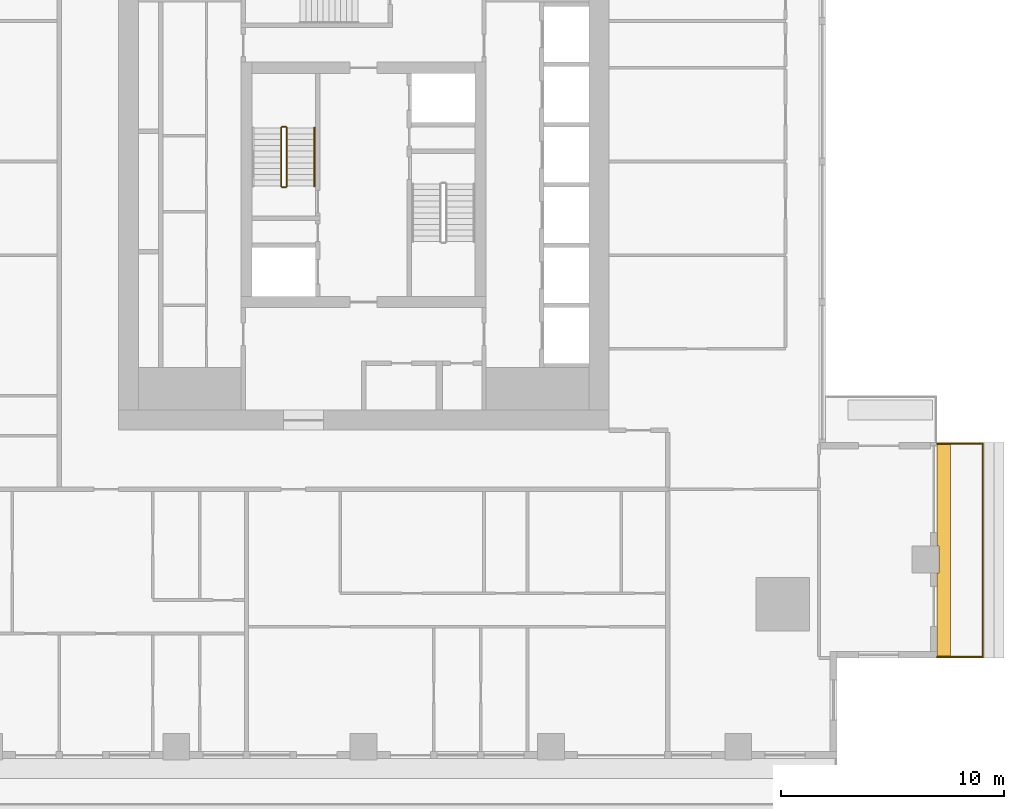
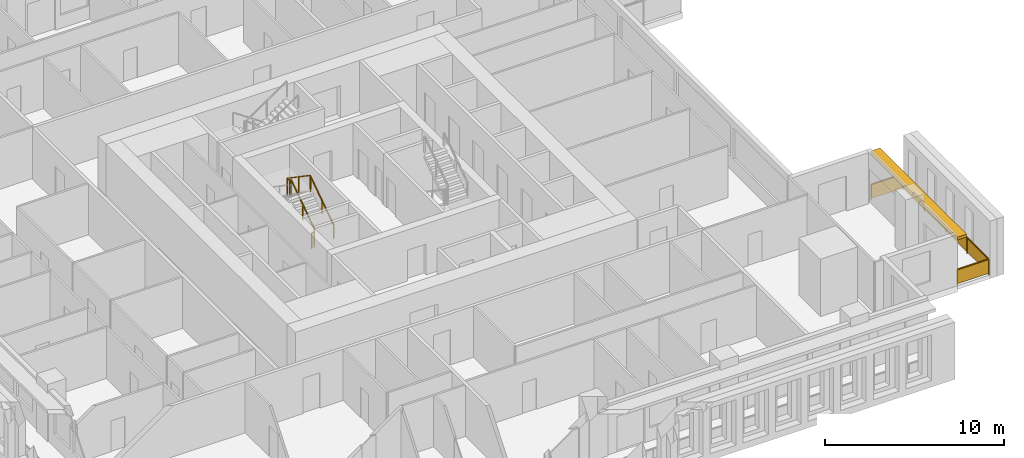
# One storey, part 12 of 15: 6 railings, 1 shading device.
"""IFC4 building model written with IfcOpenShell, lengths in metres."""

from ifc_helpers import new_model, si_unit, direction, frame, origin, origin_2d, place, context, subcontext, project, spatial, polyline, rectangle, outline, extrude, material, layer, layer_set, type_object, element, save


model = new_model("IFC4")

# Units and contexts
model_context = context("Model", 3, precision=1e-05, world=origin(), true_north=direction((0.0, 1.0)))
body_context = subcontext(model_context, "Body", "Model", "MODEL_VIEW")
ifc_project = project(units=[si_unit("LENGTHUNIT", "METRE"), si_unit("AREAUNIT", "SQUARE_METRE"), si_unit("VOLUMEUNIT", "CUBIC_METRE"), si_unit("PLANEANGLEUNIT", "RADIAN"), si_unit("MASSUNIT", "GRAM", prefix="KILO")], contexts=[model_context])

# Site, building, storey
site_placement = place(None, origin())
site = spatial("IfcSite", under=ifc_project, at=site_placement, CompositionType="ELEMENT")
building_placement = place(site_placement, origin())
building = spatial("IfcBuilding", under=site, at=building_placement, Name="Khepri Terraces", CompositionType="ELEMENT")
storey_placement = place(building_placement, frame((0.0, 0.0, 219.60009765625)))
storey = spatial("IfcBuildingStorey", under=building, at=storey_placement, Name="L52", CompositionType="ELEMENT", Elevation=219.60009765625)

# Railings
ifc_material_1 = material(Name="Stainless steel grade 316", Category="steel")
railing_type_1 = type_object("IfcRailingType", Name="GRD-BAL-1100", PredefinedType="GUARDRAIL", material=ifc_material_1)
railing_1_placement = place(storey_placement, frame((25.719970703125, -21.169921875, 0.0)))
element("IfcRailing", 1, at=railing_1_placement, inside=storey, type_object=railing_type_1, Name="Balcony guard L52 E", PredefinedType="GUARDRAIL", context=body_context, shape_type="SweptSolid", body=[
    extrude(rectangle(XDim=0.050048828125, YDim=0.06005859375, at=origin_2d()), frame((0.0, 0.0, 1.070068359375), z_axis=(1.0, 0.0, 0.0), x_axis=(0.0, 1.0, 0.0)), (0.0, 0.0, 1.0), 2.050048828125),
    extrude(rectangle(XDim=2.0, YDim=0.011962890625, at=origin_2d()), frame((1.02490234375, 0.0, 0.10009765625), z_axis=(0.0, 0.0, 1.0), x_axis=(1.0, 0.0, 0.0)), (0.0, 0.0, 1.0), 0.93994140625),
    extrude(rectangle(XDim=0.050048828125, YDim=0.06005859375, at=origin_2d()), frame((2.050048828125, 0.0, 1.070068359375), z_axis=(0.0, 1.0, 0.0), x_axis=(-1.0, 0.0, 0.0)), (0.0, 0.0, 1.0), 9.56982421875),
    extrude(rectangle(XDim=2.34228515625, YDim=0.011962890625, at=origin_2d()), frame((2.050048828125, 1.1962890625, 0.10009765625), z_axis=(0.0, 0.0, 1.0), x_axis=(0.0, 1.0, 0.0)), (0.0, 0.0, 1.0), 0.93994140625),
    extrude(rectangle(XDim=2.34228515625, YDim=0.011962890625, at=origin_2d()), frame((2.050048828125, 3.588623046875, 0.10009765625), z_axis=(0.0, 0.0, 1.0), x_axis=(0.0, 1.0, 0.0)), (0.0, 0.0, 1.0), 0.93994140625),
    extrude(rectangle(XDim=2.34228515625, YDim=0.011962890625, at=origin_2d()), frame((2.050048828125, 5.981201171875, 0.10009765625), z_axis=(0.0, 0.0, 1.0), x_axis=(0.0, 1.0, 0.0)), (0.0, 0.0, 1.0), 0.93994140625),
    extrude(rectangle(XDim=2.34228515625, YDim=0.011962890625, at=origin_2d()), frame((2.050048828125, 8.37353515625, 0.10009765625), z_axis=(0.0, 0.0, 1.0), x_axis=(0.0, 1.0, 0.0)), (0.0, 0.0, 1.0), 0.93994140625),
    extrude(rectangle(XDim=0.050048828125, YDim=0.06005859375, at=origin_2d()), frame((2.050048828125, 9.56982421875, 1.070068359375), z_axis=(-1.0, 0.0, 0.0), x_axis=(0.0, -1.0, 0.0)), (0.0, 0.0, 1.0), 2.050048828125),
    extrude(rectangle(XDim=2.0, YDim=0.011962890625, at=origin_2d()), frame((1.02490234375, 9.56982421875, 0.10009765625), z_axis=(0.0, 0.0, 1.0), x_axis=(-1.0, 0.0, 0.0)), (0.0, 0.0, 1.0), 0.93994140625),
    extrude(rectangle(XDim=0.050048828125, YDim=0.050048828125, at=origin_2d()), origin(), (0.0, 0.0, 1.0), 1.0400390625),
    extrude(rectangle(XDim=0.050048828125, YDim=0.050048828125, at=origin_2d()), frame((2.050048828125, 0.0, 0.0)), (0.0, 0.0, 1.0), 1.0400390625),
    extrude(rectangle(XDim=0.050048828125, YDim=0.050048828125, at=origin_2d()), frame((2.050048828125, 2.392578125, 0.0)), (0.0, 0.0, 1.0), 1.0400390625),
    extrude(rectangle(XDim=0.050048828125, YDim=0.050048828125, at=origin_2d()), frame((2.050048828125, 4.784912109375, 0.0)), (0.0, 0.0, 1.0), 1.0400390625),
    extrude(rectangle(XDim=0.050048828125, YDim=0.050048828125, at=origin_2d()), frame((2.050048828125, 7.17724609375, 0.0)), (0.0, 0.0, 1.0), 1.0400390625),
    extrude(rectangle(XDim=0.050048828125, YDim=0.050048828125, at=origin_2d()), frame((2.050048828125, 9.56982421875, 0.0)), (0.0, 0.0, 1.0), 1.0400390625),
    extrude(rectangle(XDim=0.050048828125, YDim=0.050048828125, at=origin_2d()), frame((0.0, 9.56982421875, 0.0)), (0.0, 0.0, 1.0), 1.0400390625),
])
ifc_material_2 = material(Name="Stainless steel 316", Category="steel")
railing_type_2 = type_object("IfcRailingType", Name="RL-CORE-GUARD", PredefinedType="GUARDRAIL", material=ifc_material_2)
railing_2_placement = place(storey_placement, frame((-3.449951171875, -0.050048828125, 0.17724609375)))
element("IfcRailing", 2, at=railing_2_placement, inside=storey, type_object=railing_type_2, Name="L52 ST-1 stair guard 1", PredefinedType="GUARDRAIL", context=body_context, shape_type="SweptSolid", body=[
    extrude(rectangle(XDim=0.050048828125, YDim=0.06005859375, at=origin_2d()), frame((0.0, 0.0, 1.070068359375), z_axis=(0.0, 0.826240473404, 0.563317565952), x_axis=(-1.0, 0.0, 0.0)), (0.0, 0.0, 1.0), 3.14697265625),
    extrude(rectangle(XDim=0.050048828125, YDim=0.050048828125, at=origin_2d()), origin(), (0.0, 0.0, 1.0), 1.0400390625),
    extrude(rectangle(XDim=0.050048828125, YDim=0.050048828125, at=origin_2d()), frame((0.0, 1.300048828125, 0.88623046875)), (0.0, 0.0, 1.0), 1.0400390625),
    extrude(rectangle(XDim=0.050048828125, YDim=0.050048828125, at=origin_2d()), frame((0.0, 2.60009765625, 1.772705078125)), (0.0, 0.0, 1.0), 1.0400390625),
])
railing_3_placement = place(storey_placement, frame((-3.5, 2.60009765625, 1.949951171875)))
element("IfcRailing", 3, at=railing_3_placement, inside=storey, type_object=railing_type_2, Name="L52 ST-1 stair guard 2", PredefinedType="GUARDRAIL", context=body_context, shape_type="SweptSolid", body=[
    extrude(rectangle(XDim=0.050048828125, YDim=0.06005859375, at=origin_2d()), frame((0.0, 0.0, 1.070068359375), z_axis=(-1.0, 0.0, 0.0), x_axis=(0.0, -1.0, 0.0)), (0.0, 0.0, 1.0), 0.14990234375),
    extrude(rectangle(XDim=0.050048828125, YDim=0.050048828125, at=origin_2d()), origin(), (0.0, 0.0, 1.0), 1.0400390625),
    extrude(rectangle(XDim=0.050048828125, YDim=0.050048828125, at=origin_2d()), frame((-0.14990234375, 0.0, 0.0)), (0.0, 0.0, 1.0), 1.0400390625),
])
railing_4_placement = place(storey_placement, frame((-3.699951171875, 2.550048828125, 2.127197265625)))
element("IfcRailing", 4, at=railing_4_placement, inside=storey, type_object=railing_type_2, Name="L52 ST-1 stair guard 3", PredefinedType="GUARDRAIL", context=body_context, shape_type="SweptSolid", body=[
    extrude(rectangle(XDim=0.050048828125, YDim=0.06005859375, at=origin_2d()), frame((0.0, 0.0, 1.070068359375), z_axis=(0.0, -0.826240473404, 0.563317565952), x_axis=(1.0, 0.0, 0.0)), (0.0, 0.0, 1.0), 3.14697265625),
    extrude(rectangle(XDim=0.050048828125, YDim=0.050048828125, at=origin_2d()), origin(), (0.0, 0.0, 1.0), 1.0400390625),
    extrude(rectangle(XDim=0.050048828125, YDim=0.050048828125, at=origin_2d()), frame((0.0, -1.300048828125, 0.88623046875)), (0.0, 0.0, 1.0), 1.0400390625),
    extrude(rectangle(XDim=0.050048828125, YDim=0.050048828125, at=origin_2d()), frame((0.0, -2.60009765625, 1.772705078125)), (0.0, 0.0, 1.0), 1.0400390625),
])
railing_5_placement = place(storey_placement, frame((-3.5, -0.10009765625, 0.0)))
element("IfcRailing", 5, at=railing_5_placement, inside=storey, type_object=railing_type_2, Name="L52 ST-1 stair guard 4", PredefinedType="GUARDRAIL", context=body_context, shape_type="SweptSolid", body=[
    extrude(rectangle(XDim=0.050048828125, YDim=0.06005859375, at=origin_2d()), frame((0.0, 0.0, 1.070068359375), z_axis=(-1.0, 0.0, 0.0), x_axis=(0.0, -1.0, 0.0)), (0.0, 0.0, 1.0), 0.14990234375),
    extrude(rectangle(XDim=0.050048828125, YDim=0.050048828125, at=origin_2d()), origin(), (0.0, 0.0, 1.0), 1.0400390625),
    extrude(rectangle(XDim=0.050048828125, YDim=0.050048828125, at=origin_2d()), frame((-0.14990234375, 0.0, 0.0)), (0.0, 0.0, 1.0), 1.0400390625),
])
railing_type_3 = type_object("IfcRailingType", Name="RL-CORE-HANDRAIL", PredefinedType="HANDRAIL", material=ifc_material_2)
railing_6_placement = place(storey_placement, frame((-2.199951171875, -0.050048828125, 0.17724609375)))
element("IfcRailing", 6, at=railing_6_placement, inside=storey, type_object=railing_type_3, Name="L52 ST-1 stair handrail 1", PredefinedType="HANDRAIL", context=body_context, shape_type="SweptSolid", body=[
    extrude(rectangle(XDim=0.050048828125, YDim=0.050048828125, at=origin_2d()), frame((0.0, 0.0, 0.875), z_axis=(0.0, 0.826240473404, 0.563317565952), x_axis=(-1.0, 0.0, 0.0)), (0.0, 0.0, 1.0), 3.14697265625),
    extrude(rectangle(XDim=0.050048828125, YDim=0.050048828125, at=origin_2d()), origin(), (0.0, 0.0, 1.0), 0.849853515625),
    extrude(rectangle(XDim=0.050048828125, YDim=0.050048828125, at=origin_2d()), frame((0.0, 1.300048828125, 0.88623046875)), (0.0, 0.0, 1.0), 0.849853515625),
    extrude(rectangle(XDim=0.050048828125, YDim=0.050048828125, at=origin_2d()), frame((0.0, 2.60009765625, 1.772705078125)), (0.0, 0.0, 1.0), 0.849853515625),
])

# Shading device
ifc_material_3 = material(Name="Precast concrete C50/60 warm stone", Category="masonry")
ifc_layer = layer(ifc_material_3, 0.199951171875, Name="Precast concrete C50/60 warm stone", Category="masonry")
ifc_layer_set = layer_set([ifc_layer], Name="Precast concrete C50/60 warm stone")
shading_device_type = type_object("IfcShadingDeviceType", Name="SSH-BAND-STONE-200-N", PredefinedType="USERDEFINED", material=ifc_layer_set)
shading_device_placement = place(storey_placement, frame((0.0, 0.0, 3.099853515625)))
element("IfcShadingDevice", 7, at=shading_device_placement, inside=storey, type_object=shading_device_type, Name="Sunshade band L52 E", ObjectType="SUNSHADE", PredefinedType="USERDEFINED", context=body_context, shape_type="SweptSolid", body=[
    extrude(outline(polyline([(25.719970703125, -17.39990234375), (25.719970703125, -21.219970703125), (26.320068359375, -21.219970703125), (26.320068359375, -11.550048828125), (25.719970703125, -11.550048828125), (25.719970703125, -16.199951171875), (25.800048828125, -16.199951171875), (25.800048828125, -17.39990234375), (25.719970703125, -17.39990234375)])), origin(), (0.0, 0.0, 1.0), 0.199951171875),
])

save(model, "model.ifc")
